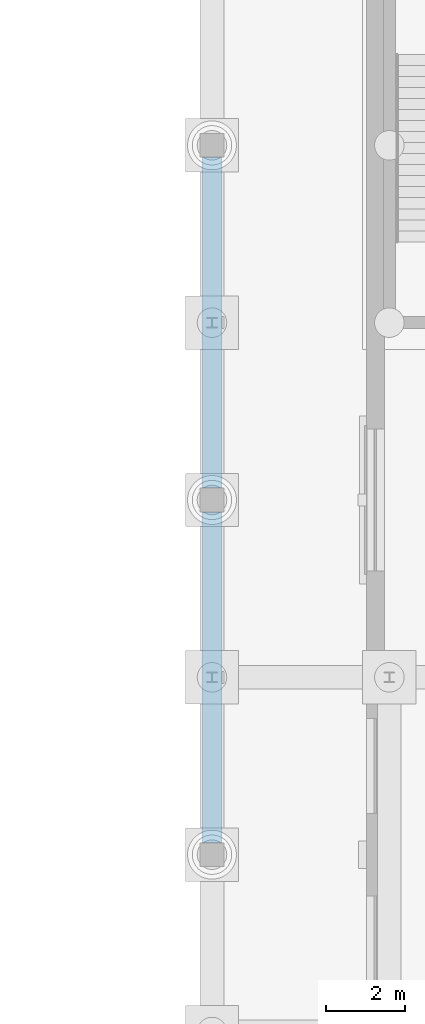
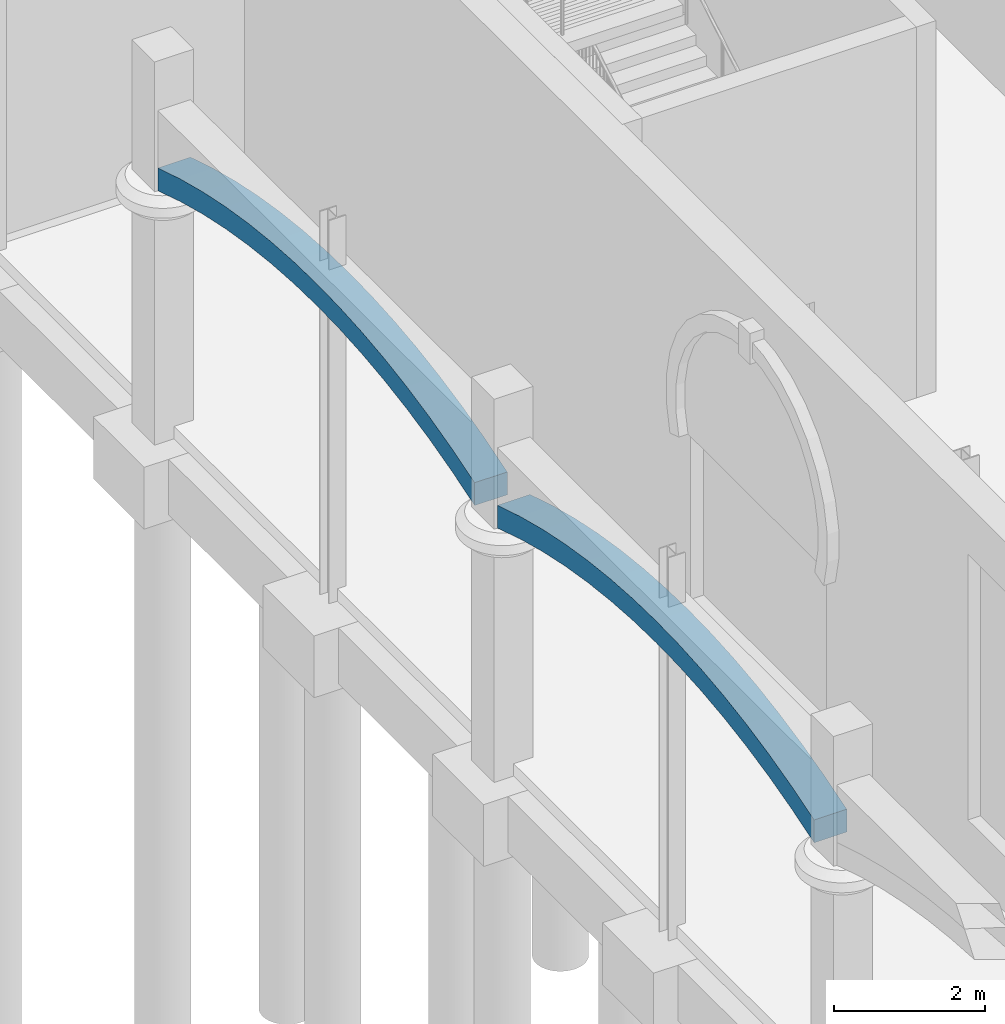
# One storey, part 52 of 106: 2 beams.
"""IFC4 building model written with IfcOpenShell, lengths in metres."""

from ifc_helpers import new_model, si_unit, direction, frame, origin, place, context, subcontext, project, spatial, polyline, outline, extrude, material, layer, layer_set, type_object, element, save


model = new_model("IFC4")

# Units and contexts
model_context = context("Model", 3, precision=1e-05, world=origin(), true_north=direction((0.0, 1.0)))
body_context = subcontext(model_context, "Body", "Model", "MODEL_VIEW")
ifc_project = project(units=[si_unit("LENGTHUNIT", "METRE"), si_unit("AREAUNIT", "SQUARE_METRE"), si_unit("VOLUMEUNIT", "CUBIC_METRE"), si_unit("PLANEANGLEUNIT", "RADIAN"), si_unit("MASSUNIT", "GRAM", prefix="KILO")], contexts=[model_context])

# Site, building, storey
site_placement = place(None, origin())
site = spatial("IfcSite", under=ifc_project, at=site_placement, CompositionType="ELEMENT")
building_placement = place(site_placement, origin())
building = spatial("IfcBuilding", under=site, at=building_placement, Name="Hortulan Conservatory and Botanical Research Centre", CompositionType="ELEMENT")
storey_placement = place(building_placement, origin())
storey = spatial("IfcBuildingStorey", under=building, at=storey_placement, Name="L00", CompositionType="ELEMENT", Elevation=0.0)

# Beams
ifc_material = material(Name="Sandstone masonry (Hawkesbury yellow block)", Category="masonry")
ifc_layer = layer(ifc_material, 0.5)
ifc_layer_set = layer_set([ifc_layer], Name="Sandstone Arch Ring 500")
beam_type = type_object("IfcBeamType", Name="Sandstone Arch Ring 500", PredefinedType="BEAM", material=ifc_layer_set)
for number, where, z_axis, x_axis, name in (
    (1, (76.5, 49.800048828125, 3.89990234375), (0.0, 0.0, 1.0), (0.0, 1.0, 0.0), "Arch ring"),
    (2, (76.5, 58.800048828125, 3.89990234375), (0.0, 0.0, 1.0), (0.0, 1.0, 0.0), "Arch ring"),
):
    element("IfcBeam", number, at=place(storey_placement, frame(where, z_axis=z_axis, x_axis=x_axis)), inside=storey, type_object=beam_type, Name=name, PredefinedType="BEAM", context=body_context, shape_type="SweptSolid", body=[
        extrude(outline(polyline([(0.0, 0.0), (0.60009765625, 0.189697265625), (1.199951171875, 0.347900390625), (1.800048828125, 0.475830078125), (2.39990234375, 0.574462890625), (3.0, 0.644287109375), (3.60009765625, 0.686279296875), (4.199951171875, 0.7001953125), (4.800048828125, 0.686279296875), (5.39990234375, 0.644287109375), (6.0, 0.574462890625), (6.60009765625, 0.475830078125), (7.199951171875, 0.347900390625), (7.800048828125, 0.189697265625), (8.39990234375, 0.0), (8.39990234375, 0.369384765625), (7.800048828125, 0.5537109375), (7.199951171875, 0.707275390625), (6.60009765625, 0.831787109375), (6.0, 0.927734375), (5.39990234375, 0.995849609375), (4.800048828125, 1.03662109375), (4.199951171875, 1.050048828125), (3.60009765625, 1.03662109375), (3.0, 0.995849609375), (2.39990234375, 0.927734375), (1.800048828125, 0.831787109375), (1.199951171875, 0.707275390625), (0.60009765625, 0.5537109375), (0.0, 0.369384765625), (0.0, 0.0)])), frame((0.0, 0.25, 0.0), z_axis=(0.0, -1.0, 0.0), x_axis=(1.0, 0.0, 0.0)), (0.0, 0.0, 1.0), 0.5),
    ])

save(model, "model.ifc")
